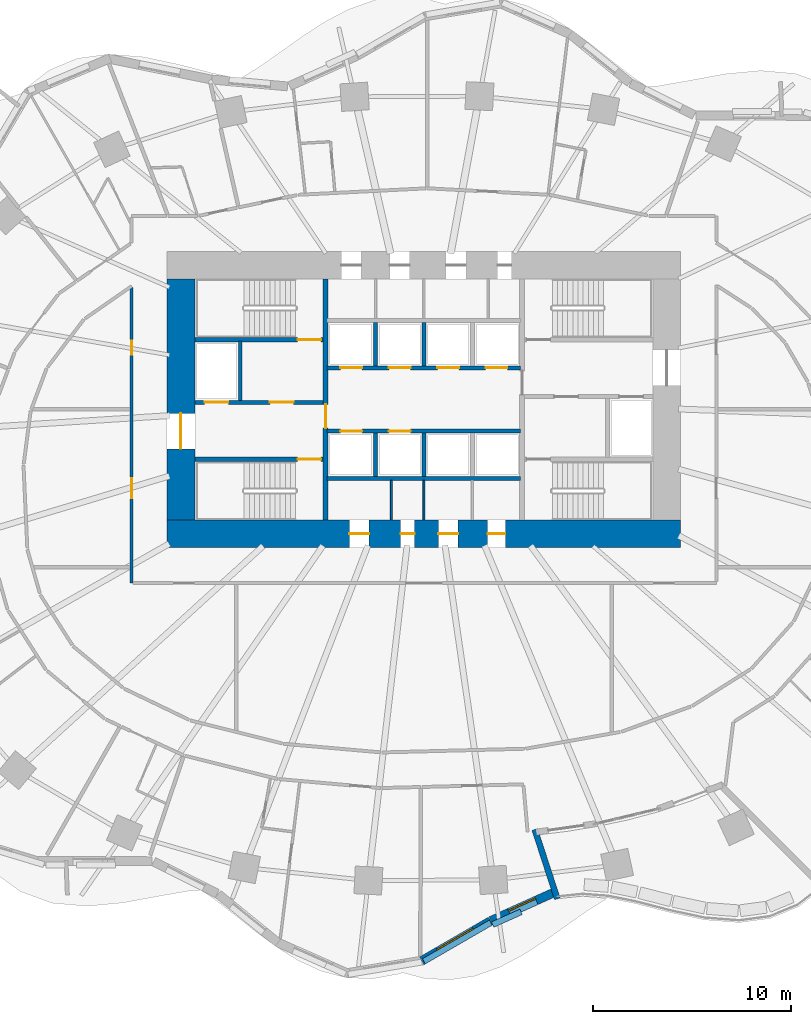
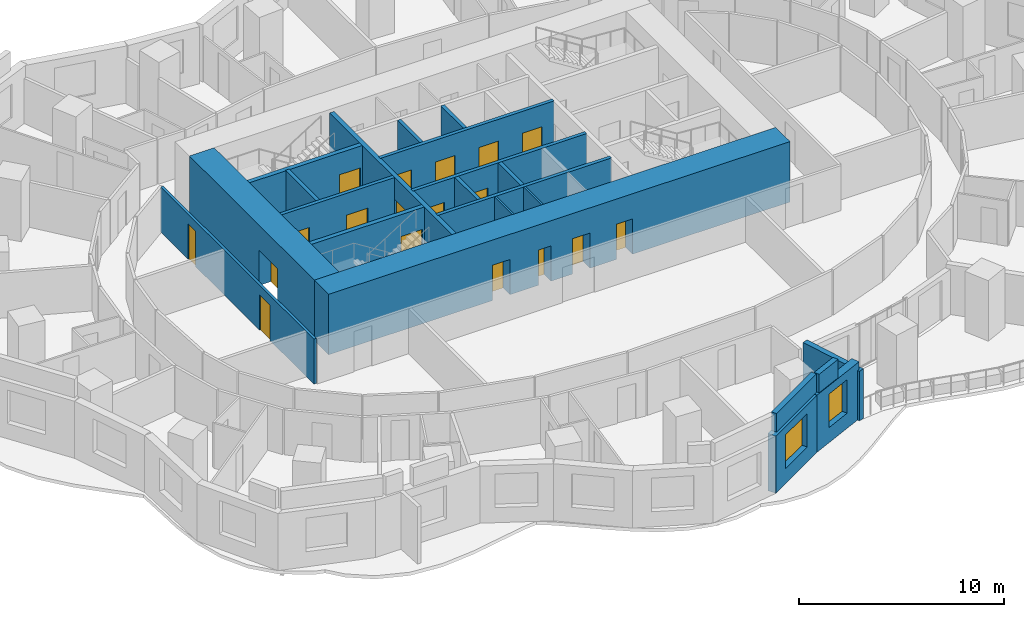
# One storey, part 6 of 14: 22 walls, 18 doors, 2 windows, 20 openings.
"""IFC4 building model written with IfcOpenShell, lengths in metres."""

from ifc_helpers import new_model, si_unit, direction, frame, frame_2d, origin, place, context, subcontext, project, spatial, rectangle, extrude, material, layer, layer_set, type_object, element, fill, save


model = new_model("IFC4")

# Units and contexts
model_context = context("Model", 3, precision=1e-05, world=origin(), true_north=direction((0.0, 1.0)))
body_context = subcontext(model_context, "Body", "Model", "MODEL_VIEW")
ifc_project = project(units=[si_unit("LENGTHUNIT", "METRE"), si_unit("AREAUNIT", "SQUARE_METRE"), si_unit("VOLUMEUNIT", "CUBIC_METRE"), si_unit("PLANEANGLEUNIT", "RADIAN"), si_unit("MASSUNIT", "GRAM", prefix="KILO")], contexts=[model_context])

# Site, building, storey
site_placement = place(None, origin())
site = spatial("IfcSite", under=ifc_project, at=site_placement, CompositionType="ELEMENT")
building_placement = place(site_placement, origin())
building = spatial("IfcBuilding", under=site, at=building_placement, Name="Rubra Terraces Tower", CompositionType="ELEMENT")
storey_placement = place(building_placement, frame((0.0, 0.0, 44.699951171875)))
storey = spatial("IfcBuildingStorey", under=building, at=storey_placement, Name="L08", CompositionType="ELEMENT", Elevation=44.699951171875)

# Wall, opening, window
ifc_material_1 = material(Name="Brick masonry red-brown", Category="masonry")
ifc_layer_1 = layer(ifc_material_1, 0.449951171875)
ifc_layer_set_1 = layer_set([ifc_layer_1], Name="Brick masonry red-brown")
wall_type_1 = type_object("IfcWallType", Name="Brick facade wall 450", PredefinedType="SOLIDWALL", material=ifc_layer_set_1)
wall_1_placement = place(storey_placement, frame((-0.109375, -23.92041015625, 0.0), z_axis=(0.0, 0.0, 1.0), x_axis=(0.865557769603, 0.500809092848, 0.0)))
wall_1 = element("IfcWall", 1, at=wall_1_placement, inside=storey, type_object=wall_type_1, Name="Facade wall L08 bay 31", PredefinedType="SOLIDWALL", context=body_context, shape_type="SweptSolid", body=[
    extrude(rectangle(XDim=4.024658203125, YDim=0.449951171875, at=frame_2d((2.01220703125, 0.0))), origin(), (0.0, 0.0, 1.0), 3.400146484375),
])
opening_1_placement = place(wall_1_placement, frame((0.96240234375, 0.0, 0.89990234375)))
opening_1 = element("IfcOpeningElement", 2, at=opening_1_placement, cuts=wall_1, Name="Opening W1", PredefinedType="OPENING", context=body_context, shape_type="SweptSolid", body=[
    extrude(rectangle(XDim=2.10009765625, YDim=2.0, at=frame_2d((1.050048828125, 1.0))), frame((0.0, 0.23486328125, 0.0), z_axis=(0.0, -1.0, 0.0), x_axis=(1.0, 0.0, 0.0)), (0.0, 0.0, 1.0), 0.469970703125),
])
ifc_material_2 = material(Name="Clear glass in aluminium frame", Category="aluminium")
window_type_1 = type_object("IfcWindowType", Name="Fixed deep-set window 2100 x 2000", PartitioningType="SINGLE_PANEL", PredefinedType="WINDOW", material=ifc_material_2)
window_1_placement = place(opening_1_placement, origin())
window_1 = element("IfcWindow", 3, at=window_1_placement, inside=storey, type_object=window_type_1, Name="Window L08 bay 31", OverallHeight=2.0, OverallWidth=2.10009765625, PartitioningType="SINGLE_PANEL", PredefinedType="WINDOW", context=body_context, shape_type="SweptSolid", body=[
    extrude(rectangle(XDim=2.10009765625, YDim=2.0, at=frame_2d((1.050048828125, 1.0))), frame((0.0, 0.135009765625, 0.0), z_axis=(0.0, -1.0, 0.0), x_axis=(1.0, 0.0, 0.0)), (0.0, 0.0, 1.0), 0.06005859375),
])
fill(opening_1, window_1)

wall_2_placement = place(storey_placement, frame((3.395263671875, -21.894287109375, 0.0), z_axis=(0.0, 0.0, 1.0), x_axis=(0.912061376588, 0.410053710306, 0.0)))
wall_2 = element("IfcWall", 4, at=wall_2_placement, inside=storey, type_object=wall_type_1, Name="Facade wall L08 bay 32", PredefinedType="SOLIDWALL", context=body_context, shape_type="SweptSolid", body=[
    extrude(rectangle(XDim=3.52587890625, YDim=0.449951171875, at=frame_2d((1.762939453125, 0.0))), origin(), (0.0, 0.0, 1.0), 3.400146484375),
])
opening_2_placement = place(wall_2_placement, frame((1.0126953125, 0.0, 0.89990234375)))
opening_2 = element("IfcOpeningElement", 5, at=opening_2_placement, cuts=wall_2, Name="Opening W7", PredefinedType="OPENING", context=body_context, shape_type="SweptSolid", body=[
    extrude(rectangle(XDim=1.5, YDim=2.0, at=frame_2d((0.75, 1.0))), frame((0.0, 0.23486328125, 0.0), z_axis=(0.0, -1.0, 0.0), x_axis=(1.0, 0.0, 0.0)), (0.0, 0.0, 1.0), 0.469970703125),
])
window_type_2 = type_object("IfcWindowType", Name="Fixed deep-set window beside terrace 1500 x 2000", PartitioningType="SINGLE_PANEL", PredefinedType="WINDOW", material=ifc_material_2)
window_2_placement = place(opening_2_placement, origin())
window_2 = element("IfcWindow", 6, at=window_2_placement, inside=storey, type_object=window_type_2, Name="Window L08 bay 32", OverallHeight=2.0, OverallWidth=1.5, PartitioningType="SINGLE_PANEL", PredefinedType="WINDOW", context=body_context, shape_type="SweptSolid", body=[
    extrude(rectangle(XDim=1.5, YDim=2.0, at=frame_2d((0.75, 1.0))), frame((0.0, 0.135009765625, 0.0), z_axis=(0.0, -1.0, 0.0), x_axis=(1.0, 0.0, 0.0)), (0.0, 0.0, 1.0), 0.06005859375),
])
fill(opening_2, window_2)

# Walls
ifc_layer_2 = layer(ifc_material_1, 0.300048828125)
ifc_layer_set_2 = layer_set([ifc_layer_2], Name="Brick masonry red-brown")
wall_type_2 = type_object("IfcWallType", Name="Brick parapet 300", PredefinedType="PARAPET", material=ifc_layer_set_2)
wall_3_placement = place(storey_placement, frame((-0.002197265625, -23.945068359375, 3.60009765625), z_axis=(0.0, 0.0, 1.0), x_axis=(0.865550152763, 0.500822256945, 0.0)))
element("IfcWall", 7, at=wall_3_placement, inside=storey, type_object=wall_type_2, Name="Parapet L08 bay 31", PredefinedType="PARAPET", context=body_context, shape_type="SweptSolid", body=[
    extrude(rectangle(XDim=3.91259765625, YDim=0.300048828125, at=frame_2d((1.956298828125, 0.0))), origin(), (0.0, 0.0, 1.0), 1.099853515625),
])
wall_4_placement = place(storey_placement, frame((3.4775390625, -22.0869140625, 3.60009765625), z_axis=(0.0, 0.0, 1.0), x_axis=(0.912008401221, 0.410171520345, 0.0)))
element("IfcWall", 8, at=wall_4_placement, inside=storey, type_object=wall_type_2, Name="Parapet L08 bay 32", PredefinedType="PARAPET", context=body_context, shape_type="SweptSolid", body=[
    extrude(rectangle(XDim=1.57666015625, YDim=0.300048828125, at=frame_2d((0.788330078125, 0.0))), origin(), (0.0, 0.0, 1.0), 1.099853515625),
])

# Wall, openings, doors
ifc_material_3 = material(Name="Concrete C70", Category="concrete")
ifc_layer_3 = layer(ifc_material_3, 1.39990234375)
ifc_layer_set_3 = layer_set([ifc_layer_3], Name="Concrete C70")
wall_type_3 = type_object("IfcWallType", Name="CORE WALL 1400 C70", PredefinedType="SHEAR", material=ifc_layer_set_3)
wall_5_placement = place(storey_placement, frame((-13.0, -2.300048828125, 0.0), z_axis=(0.0, 0.0, 1.0), x_axis=(1.0, 0.0, 0.0)))
wall_5 = element("IfcWall", 9, at=wall_5_placement, inside=storey, type_object=wall_type_3, Name="CORE WALL S L08", PredefinedType="SHEAR", context=body_context, shape_type="SweptSolid", body=[
    extrude(rectangle(XDim=26.0, YDim=1.39990234375, at=frame_2d((13.0, 0.0))), origin(), (0.0, 0.0, 1.0), 3.60009765625),
])
opening_3_placement = place(wall_5_placement, frame((9.22509765625, 0.0, 0.0)))
opening_3 = element("IfcOpeningElement", 10, at=opening_3_placement, cuts=wall_5, Name="Opening L08.C19", PredefinedType="OPENING", context=body_context, shape_type="SweptSolid", body=[
    extrude(rectangle(XDim=1.0, YDim=2.10009765625, at=frame_2d((0.5, 1.050048828125))), frame((0.0, 0.7099609375, 0.0), z_axis=(0.0, -1.0, 0.0), x_axis=(1.0, 0.0, 0.0)), (0.0, 0.0, 1.0), 1.419921875),
])
opening_4_placement = place(wall_5_placement, frame((11.824951171875, 0.0, 0.0)))
opening_4 = element("IfcOpeningElement", 11, at=opening_4_placement, cuts=wall_5, Name="Opening L08.C20", PredefinedType="OPENING", context=body_context, shape_type="SweptSolid", body=[
    extrude(rectangle(XDim=0.699951171875, YDim=2.10009765625, at=frame_2d((0.35009765625, 1.050048828125))), frame((0.0, 0.7099609375, 0.0), z_axis=(0.0, -1.0, 0.0), x_axis=(1.0, 0.0, 0.0)), (0.0, 0.0, 1.0), 1.419921875),
])
opening_5_placement = place(wall_5_placement, frame((13.72509765625, 0.0, 0.0)))
opening_5 = element("IfcOpeningElement", 12, at=opening_5_placement, cuts=wall_5, Name="Opening L08.C21", PredefinedType="OPENING", context=body_context, shape_type="SweptSolid", body=[
    extrude(rectangle(XDim=1.0, YDim=2.10009765625, at=frame_2d((0.5, 1.050048828125))), frame((0.0, 0.7099609375, 0.0), z_axis=(0.0, -1.0, 0.0), x_axis=(1.0, 0.0, 0.0)), (0.0, 0.0, 1.0), 1.419921875),
])
opening_6_placement = place(wall_5_placement, frame((16.22509765625, 0.0, 0.0)))
opening_6 = element("IfcOpeningElement", 13, at=opening_6_placement, cuts=wall_5, Name="Opening L08.C22", PredefinedType="OPENING", context=body_context, shape_type="SweptSolid", body=[
    extrude(rectangle(XDim=0.89990234375, YDim=2.10009765625, at=frame_2d((0.449951171875, 1.050048828125))), frame((0.0, 0.7099609375, 0.0), z_axis=(0.0, -1.0, 0.0), x_axis=(1.0, 0.0, 0.0)), (0.0, 0.0, 1.0), 1.419921875),
])
ifc_material_4 = material(Name="Painted steel", Category="steel")
door_type_1 = type_object("IfcDoorType", Name="Fire door 1000x2100 single", OperationType="NOTDEFINED", PredefinedType="DOOR", material=ifc_material_4)
door_1_placement = place(opening_3_placement, origin())
door_1 = element("IfcDoor", 14, at=door_1_placement, inside=storey, type_object=door_type_1, Name="Linen store door", OperationType="SINGLE_SWING_LEFT", OverallHeight=2.10009765625, OverallWidth=1.0, PredefinedType="DOOR", context=body_context, shape_type="SweptSolid", body=[
    extrude(rectangle(XDim=1.0, YDim=2.10009765625, at=frame_2d((0.5, 1.050048828125))), frame((0.0, 0.02490234375, 0.0), z_axis=(0.0, -1.0, 0.0), x_axis=(1.0, 0.0, 0.0)), (0.0, 0.0, 1.0), 0.050048828125),
])
fill(opening_3, door_1)
door_2_placement = place(opening_5_placement, origin())
door_2 = element("IfcDoor", 15, at=door_2_placement, inside=storey, type_object=door_type_1, Name="Ice and vending room door", OperationType="SINGLE_SWING_LEFT", OverallHeight=2.10009765625, OverallWidth=1.0, PredefinedType="DOOR", context=body_context, shape_type="SweptSolid", body=[
    extrude(rectangle(XDim=1.0, YDim=2.10009765625, at=frame_2d((0.5, 1.050048828125))), frame((0.0, 0.02490234375, 0.0), z_axis=(0.0, -1.0, 0.0), x_axis=(1.0, 0.0, 0.0)), (0.0, 0.0, 1.0), 0.050048828125),
])
fill(opening_5, door_2)
door_type_2 = type_object("IfcDoorType", Name="Fire door 900x2100 single", OperationType="NOTDEFINED", PredefinedType="DOOR", material=ifc_material_4)
door_3_placement = place(opening_6_placement, origin())
door_3 = element("IfcDoor", 16, at=door_3_placement, inside=storey, type_object=door_type_2, Name="Cleaner's store door", OperationType="SINGLE_SWING_RIGHT", OverallHeight=2.10009765625, OverallWidth=0.89990234375, PredefinedType="DOOR", context=body_context, shape_type="SweptSolid", body=[
    extrude(rectangle(XDim=0.89990234375, YDim=2.10009765625, at=frame_2d((0.449951171875, 1.050048828125))), frame((0.0, 0.02490234375, 0.0), z_axis=(0.0, -1.0, 0.0), x_axis=(1.0, 0.0, 0.0)), (0.0, 0.0, 1.0), 0.050048828125),
])
fill(opening_6, door_3)
door_type_3 = type_object("IfcDoorType", Name="Riser access door 700x2100 single", OperationType="NOTDEFINED", PredefinedType="DOOR", material=ifc_material_4)
door_4_placement = place(opening_4_placement, origin())
door_4 = element("IfcDoor", 17, at=door_4_placement, inside=storey, type_object=door_type_3, Name="Telecoms room door", OperationType="SINGLE_SWING_RIGHT", OverallHeight=2.10009765625, OverallWidth=0.699951171875, PredefinedType="DOOR", context=body_context, shape_type="SweptSolid", body=[
    extrude(rectangle(XDim=0.699951171875, YDim=2.10009765625, at=frame_2d((0.35009765625, 1.050048828125))), frame((0.0, 0.02490234375, 0.0), z_axis=(0.0, -1.0, 0.0), x_axis=(1.0, 0.0, 0.0)), (0.0, 0.0, 1.0), 0.050048828125),
])
fill(opening_4, door_4)

# Wall, opening, door
wall_6_placement = place(storey_placement, frame((-12.300048828125, -1.60009765625, 0.0), z_axis=(0.0, 0.0, 1.0), x_axis=(0.0, 1.0, 0.0)))
wall_6 = element("IfcWall", 18, at=wall_6_placement, inside=storey, type_object=wall_type_3, Name="CORE WALL W L08", PredefinedType="SHEAR", context=body_context, shape_type="SweptSolid", body=[
    extrude(rectangle(XDim=12.2001953125, YDim=1.39990234375, at=frame_2d((6.10009765625, 0.0))), origin(), (0.0, 0.0, 1.0), 3.60009765625),
])
opening_7_placement = place(wall_6_placement, frame((3.60009765625, 0.0, 0.0)))
opening_7 = element("IfcOpeningElement", 19, at=opening_7_placement, cuts=wall_6, Name="Opening L08.C01", PredefinedType="OPENING", context=body_context, shape_type="SweptSolid", body=[
    extrude(rectangle(XDim=1.800048828125, YDim=2.10009765625, at=frame_2d((0.89990234375, 1.050048828125))), frame((0.0, 0.7099609375, 0.0), z_axis=(0.0, -1.0, 0.0), x_axis=(1.0, 0.0, 0.0)), (0.0, 0.0, 1.0), 1.419921875),
])
door_type_4 = type_object("IfcDoorType", Name="Fire door 1800x2100 double", OperationType="NOTDEFINED", PredefinedType="DOOR", material=ifc_material_4)
door_5_placement = place(opening_7_placement, origin())
door_5 = element("IfcDoor", 20, at=door_5_placement, inside=storey, type_object=door_type_4, Name="Core entrance door FF1", OperationType="DOUBLE_DOOR_SINGLE_SWING", OverallHeight=2.10009765625, OverallWidth=1.800048828125, PredefinedType="DOOR", context=body_context, shape_type="SweptSolid", body=[
    extrude(rectangle(XDim=1.800048828125, YDim=2.10009765625, at=frame_2d((0.89990234375, 1.050048828125))), frame((0.0, 0.02490234375, 0.0), z_axis=(0.0, -1.0, 0.0), x_axis=(1.0, 0.0, 0.0)), (0.0, 0.0, 1.0), 0.050048828125),
])
fill(opening_7, door_5)

# Wall, openings, doors
ifc_material_5 = material(Name="Plasterboard on steel stud, mineral wool infill", Category="steel")
ifc_layer_4 = layer(ifc_material_5, 0.14990234375)
ifc_layer_set_4 = layer_set([ifc_layer_4], Name="Plasterboard on steel stud, mineral wool infill")
wall_type_4 = type_object("IfcWallType", Name="CORRIDOR PARTITION 150", PredefinedType="PARTITIONING", material=ifc_layer_set_4)
wall_7_placement = place(storey_placement, frame((-14.800048828125, 10.159912109375, 0.0), z_axis=(0.0, 0.0, 1.0), x_axis=(0.0, -1.0, 0.0)))
wall_7 = element("IfcWall", 21, at=wall_7_placement, inside=storey, type_object=wall_type_4, Name="PARTITION", PredefinedType="PARTITIONING", context=body_context, shape_type="SweptSolid", body=[
    extrude(rectangle(XDim=14.9599609375, YDim=0.14990234375, at=frame_2d((7.47998046875, 0.0))), origin(), (0.0, 0.0, 1.0), 2.679931640625),
])
opening_8_placement = place(wall_7_placement, frame((2.69189453125, 0.0, 0.0)))
opening_8 = element("IfcOpeningElement", 22, at=opening_8_placement, cuts=wall_7, Name="Opening 08-134", PredefinedType="OPENING", context=body_context, shape_type="SweptSolid", body=[
    extrude(rectangle(XDim=0.699951171875, YDim=2.10009765625, at=frame_2d((0.35009765625, 1.050048828125))), frame((0.0, 0.0849609375, 0.0), z_axis=(0.0, -1.0, 0.0), x_axis=(1.0, 0.0, 0.0)), (0.0, 0.0, 1.0), 0.169921875),
])
opening_9_placement = place(wall_7_placement, frame((9.659912109375, 0.0, 0.0)))
opening_9 = element("IfcOpeningElement", 23, at=opening_9_placement, cuts=wall_7, Name="Opening 08-135", PredefinedType="OPENING", context=body_context, shape_type="SweptSolid", body=[
    extrude(rectangle(XDim=1.0, YDim=2.10009765625, at=frame_2d((0.5, 1.050048828125))), frame((0.0, 0.0849609375, 0.0), z_axis=(0.0, -1.0, 0.0), x_axis=(1.0, 0.0, 0.0)), (0.0, 0.0, 1.0), 0.169921875),
])
ifc_material_6 = material(Name="Painted timber door leaf", Category="wood")
door_type_5 = type_object("IfcDoorType", Name="ROOM DOOR 1000 X 2100", OperationType="SINGLE_SWING_LEFT", PredefinedType="DOOR", material=ifc_material_6)
door_6_placement = place(opening_9_placement, origin())
door_6 = element("IfcDoor", 24, at=door_6_placement, inside=storey, type_object=door_type_5, Name="DOOR 08-135", OperationType="SINGLE_SWING_RIGHT", OverallHeight=2.10009765625, OverallWidth=1.0, PredefinedType="DOOR", context=body_context, shape_type="SweptSolid", body=[
    extrude(rectangle(XDim=1.0, YDim=2.10009765625, at=frame_2d((0.5, 1.050048828125))), frame((0.0, 0.02490234375, 0.0), z_axis=(0.0, -1.0, 0.0), x_axis=(1.0, 0.0, 0.0)), (0.0, 0.0, 1.0), 0.050048828125),
])
fill(opening_9, door_6)
door_type_6 = type_object("IfcDoorType", Name="STORE DOOR 700 X 2100", OperationType="SINGLE_SWING_LEFT", PredefinedType="DOOR", material=ifc_material_6)
door_7_placement = place(opening_8_placement, origin())
door_7 = element("IfcDoor", 25, at=door_7_placement, inside=storey, type_object=door_type_6, Name="DOOR 08-134", OperationType="SINGLE_SWING_RIGHT", OverallHeight=2.10009765625, OverallWidth=0.699951171875, PredefinedType="DOOR", context=body_context, shape_type="SweptSolid", body=[
    extrude(rectangle(XDim=0.699951171875, YDim=2.10009765625, at=frame_2d((0.35009765625, 1.050048828125))), frame((0.0, 0.02490234375, 0.0), z_axis=(0.0, -1.0, 0.0), x_axis=(1.0, 0.0, 0.0)), (0.0, 0.0, 1.0), 0.050048828125),
])
fill(opening_8, door_7)

ifc_material_7 = material(Name="Concrete C30", Category="concrete")
ifc_layer_5 = layer(ifc_material_7, 0.199951171875)
ifc_layer_set_5 = layer_set([ifc_layer_5], Name="Concrete C30")
wall_type_5 = type_object("IfcWallType", Name="Core wall 200 concrete", PredefinedType="SOLIDWALL", material=ifc_layer_set_5)
wall_8_placement = place(storey_placement, frame((-11.60009765625, 4.35009765625, 0.0), z_axis=(0.0, 0.0, 1.0), x_axis=(1.0, 0.0, 0.0)))
wall_8 = element("IfcWall", 26, at=wall_8_placement, inside=storey, type_object=wall_type_5, Name="STAIR WALL L08", PredefinedType="SOLIDWALL", context=body_context, shape_type="SweptSolid", body=[
    extrude(rectangle(XDim=6.5, YDim=0.199951171875, at=frame_2d((3.25, 0.0))), origin(), (0.0, 0.0, 1.0), 3.400146484375),
])
opening_10_placement = place(wall_8_placement, frame((3.800048828125, 0.0, 0.0)))
opening_10 = element("IfcOpeningElement", 27, at=opening_10_placement, cuts=wall_8, Name="Opening L08.C05", PredefinedType="OPENING", context=body_context, shape_type="SweptSolid", body=[
    extrude(rectangle(XDim=1.199951171875, YDim=2.10009765625, at=frame_2d((0.60009765625, 1.050048828125))), frame((0.0, 0.10986328125, 0.0), z_axis=(0.0, -1.0, 0.0), x_axis=(1.0, 0.0, 0.0)), (0.0, 0.0, 1.0), 0.219970703125),
])
opening_11_placement = place(wall_8_placement, frame((0.5, 0.0, 0.0)))
opening_11 = element("IfcOpeningElement", 28, at=opening_11_placement, cuts=wall_8, Name="Opening L08.C11", PredefinedType="OPENING", context=body_context, shape_type="SweptSolid", body=[
    extrude(rectangle(XDim=1.199951171875, YDim=2.10009765625, at=frame_2d((0.60009765625, 1.050048828125))), frame((0.0, 0.10986328125, 0.0), z_axis=(0.0, -1.0, 0.0), x_axis=(1.0, 0.0, 0.0)), (0.0, 0.0, 1.0), 0.219970703125),
])
door_type_7 = type_object("IfcDoorType", Name="Fire door 1200x2100 single", OperationType="NOTDEFINED", PredefinedType="DOOR", material=ifc_material_4)
door_8_placement = place(opening_10_placement, origin())
door_8 = element("IfcDoor", 29, at=door_8_placement, inside=storey, type_object=door_type_7, Name="Stair vestibule door S2", OperationType="SINGLE_SWING_LEFT", OverallHeight=2.10009765625, OverallWidth=1.199951171875, PredefinedType="DOOR", context=body_context, shape_type="SweptSolid", body=[
    extrude(rectangle(XDim=1.199951171875, YDim=2.10009765625, at=frame_2d((0.60009765625, 1.050048828125))), frame((0.0, 0.02490234375, 0.0), z_axis=(0.0, -1.0, 0.0), x_axis=(1.0, 0.0, 0.0)), (0.0, 0.0, 1.0), 0.050048828125),
])
fill(opening_10, door_8)
ifc_material_8 = material(Name="Stainless steel", Category="steel")
door_type_8 = type_object("IfcDoorType", Name="Lift landing door 1200x2100", OperationType="NOTDEFINED", PredefinedType="DOOR", material=ifc_material_8)
door_9_placement = place(opening_11_placement, origin())
door_9 = element("IfcDoor", 30, at=door_9_placement, inside=storey, type_object=door_type_8, Name="Landing door FF1", OperationType="SLIDING_TO_RIGHT", OverallHeight=2.10009765625, OverallWidth=1.199951171875, PredefinedType="DOOR", context=body_context, shape_type="SweptSolid", body=[
    extrude(rectangle(XDim=1.199951171875, YDim=2.10009765625, at=frame_2d((0.60009765625, 1.050048828125))), frame((0.0, 0.02490234375, 0.0), z_axis=(0.0, -1.0, 0.0), x_axis=(1.0, 0.0, 0.0)), (0.0, 0.0, 1.0), 0.050048828125),
])
fill(opening_11, door_9)

# Walls
wall_9_placement = place(storey_placement, frame((-9.300048828125, 4.449951171875, 0.0), z_axis=(0.0, 0.0, 1.0), x_axis=(0.0, 1.0, 0.0)))
element("IfcWall", 31, at=wall_9_placement, inside=storey, type_object=wall_type_5, Name="STAIR WALL L08", PredefinedType="SOLIDWALL", context=body_context, shape_type="SweptSolid", body=[
    extrude(rectangle(XDim=3.0, YDim=0.199951171875, at=frame_2d((1.5, 0.0))), origin(), (0.0, 0.0, 1.0), 3.400146484375),
])
wall_10_placement = place(storey_placement, frame((-4.89990234375, 0.5, 0.0), z_axis=(0.0, 0.0, 1.0), x_axis=(1.0, 0.0, 0.0)))
element("IfcWall", 32, at=wall_10_placement, inside=storey, type_object=wall_type_5, Name="LIFT SHAFT WALL L08", PredefinedType="SOLIDWALL", context=body_context, shape_type="SweptSolid", body=[
    extrude(rectangle(XDim=9.7998046875, YDim=0.199951171875, at=frame_2d((4.89990234375, 0.0))), origin(), (0.0, 0.0, 1.0), 3.400146484375),
])

# Wall, openings, doors
wall_11_placement = place(storey_placement, frame((-4.89990234375, 2.89990234375, 0.0), z_axis=(0.0, 0.0, 1.0), x_axis=(1.0, 0.0, 0.0)))
wall_11 = element("IfcWall", 33, at=wall_11_placement, inside=storey, type_object=wall_type_5, Name="LIFT SHAFT WALL L08", PredefinedType="SOLIDWALL", context=body_context, shape_type="SweptSolid", body=[
    extrude(rectangle(XDim=9.7998046875, YDim=0.199951171875, at=frame_2d((4.89990234375, 0.0))), origin(), (0.0, 0.0, 1.0), 3.400146484375),
])
opening_12_placement = place(wall_11_placement, frame((0.675048828125, 0.0, 0.0)))
opening_12 = element("IfcOpeningElement", 34, at=opening_12_placement, cuts=wall_11, Name="Opening L08.C13", PredefinedType="OPENING", context=body_context, shape_type="SweptSolid", body=[
    extrude(rectangle(XDim=1.10009765625, YDim=2.10009765625, at=frame_2d((0.550048828125, 1.050048828125))), frame((0.0, 0.10986328125, 0.0), z_axis=(0.0, -1.0, 0.0), x_axis=(1.0, 0.0, 0.0)), (0.0, 0.0, 1.0), 0.219970703125),
])
opening_13_placement = place(wall_11_placement, frame((3.125, 0.0, 0.0)))
opening_13 = element("IfcOpeningElement", 35, at=opening_13_placement, cuts=wall_11, Name="Opening L08.C14", PredefinedType="OPENING", context=body_context, shape_type="SweptSolid", body=[
    extrude(rectangle(XDim=1.10009765625, YDim=2.10009765625, at=frame_2d((0.550048828125, 1.050048828125))), frame((0.0, 0.10986328125, 0.0), z_axis=(0.0, -1.0, 0.0), x_axis=(1.0, 0.0, 0.0)), (0.0, 0.0, 1.0), 0.219970703125),
])
door_type_9 = type_object("IfcDoorType", Name="Lift landing door 1100x2100", OperationType="NOTDEFINED", PredefinedType="DOOR", material=ifc_material_8)
door_10_placement = place(opening_12_placement, origin())
door_10 = element("IfcDoor", 36, at=door_10_placement, inside=storey, type_object=door_type_9, Name="Landing door LB1", OperationType="SLIDING_TO_RIGHT", OverallHeight=2.10009765625, OverallWidth=1.10009765625, PredefinedType="DOOR", context=body_context, shape_type="SweptSolid", body=[
    extrude(rectangle(XDim=1.10009765625, YDim=2.10009765625, at=frame_2d((0.550048828125, 1.050048828125))), frame((0.0, 0.02490234375, 0.0), z_axis=(0.0, -1.0, 0.0), x_axis=(1.0, 0.0, 0.0)), (0.0, 0.0, 1.0), 0.050048828125),
])
fill(opening_12, door_10)
door_11_placement = place(opening_13_placement, origin())
door_11 = element("IfcDoor", 37, at=door_11_placement, inside=storey, type_object=door_type_9, Name="Landing door LB2", OperationType="SLIDING_TO_LEFT", OverallHeight=2.10009765625, OverallWidth=1.10009765625, PredefinedType="DOOR", context=body_context, shape_type="SweptSolid", body=[
    extrude(rectangle(XDim=1.10009765625, YDim=2.10009765625, at=frame_2d((0.550048828125, 1.050048828125))), frame((0.0, 0.02490234375, 0.0), z_axis=(0.0, -1.0, 0.0), x_axis=(1.0, 0.0, 0.0)), (0.0, 0.0, 1.0), 0.050048828125),
])
fill(opening_13, door_11)

wall_12_placement = place(storey_placement, frame((-4.89990234375, 6.10009765625, 0.0), z_axis=(0.0, 0.0, 1.0), x_axis=(1.0, 0.0, 0.0)))
wall_12 = element("IfcWall", 38, at=wall_12_placement, inside=storey, type_object=wall_type_5, Name="LIFT SHAFT WALL L08", PredefinedType="SOLIDWALL", context=body_context, shape_type="SweptSolid", body=[
    extrude(rectangle(XDim=9.7998046875, YDim=0.199951171875, at=frame_2d((4.89990234375, 0.0))), origin(), (0.0, 0.0, 1.0), 3.400146484375),
])
opening_14_placement = place(wall_12_placement, frame((0.675048828125, 0.0, 0.0)))
opening_14 = element("IfcOpeningElement", 39, at=opening_14_placement, cuts=wall_12, Name="Opening L08.C15", PredefinedType="OPENING", context=body_context, shape_type="SweptSolid", body=[
    extrude(rectangle(XDim=1.10009765625, YDim=2.10009765625, at=frame_2d((0.550048828125, 1.050048828125))), frame((0.0, 0.10986328125, 0.0), z_axis=(0.0, -1.0, 0.0), x_axis=(1.0, 0.0, 0.0)), (0.0, 0.0, 1.0), 0.219970703125),
])
opening_15_placement = place(wall_12_placement, frame((3.125, 0.0, 0.0)))
opening_15 = element("IfcOpeningElement", 40, at=opening_15_placement, cuts=wall_12, Name="Opening L08.C16", PredefinedType="OPENING", context=body_context, shape_type="SweptSolid", body=[
    extrude(rectangle(XDim=1.10009765625, YDim=2.10009765625, at=frame_2d((0.550048828125, 1.050048828125))), frame((0.0, 0.10986328125, 0.0), z_axis=(0.0, -1.0, 0.0), x_axis=(1.0, 0.0, 0.0)), (0.0, 0.0, 1.0), 0.219970703125),
])
opening_16_placement = place(wall_12_placement, frame((5.574951171875, 0.0, 0.0)))
opening_16 = element("IfcOpeningElement", 41, at=opening_16_placement, cuts=wall_12, Name="Opening L08.C17", PredefinedType="OPENING", context=body_context, shape_type="SweptSolid", body=[
    extrude(rectangle(XDim=1.10009765625, YDim=2.10009765625, at=frame_2d((0.550048828125, 1.050048828125))), frame((0.0, 0.10986328125, 0.0), z_axis=(0.0, -1.0, 0.0), x_axis=(1.0, 0.0, 0.0)), (0.0, 0.0, 1.0), 0.219970703125),
])
opening_17_placement = place(wall_12_placement, frame((8.02490234375, 0.0, 0.0)))
opening_17 = element("IfcOpeningElement", 42, at=opening_17_placement, cuts=wall_12, Name="Opening L08.C18", PredefinedType="OPENING", context=body_context, shape_type="SweptSolid", body=[
    extrude(rectangle(XDim=1.10009765625, YDim=2.10009765625, at=frame_2d((0.550048828125, 1.050048828125))), frame((0.0, 0.10986328125, 0.0), z_axis=(0.0, -1.0, 0.0), x_axis=(1.0, 0.0, 0.0)), (0.0, 0.0, 1.0), 0.219970703125),
])
door_12_placement = place(opening_14_placement, origin())
door_12 = element("IfcDoor", 43, at=door_12_placement, inside=storey, type_object=door_type_9, Name="Landing door LB3", OperationType="SLIDING_TO_RIGHT", OverallHeight=2.10009765625, OverallWidth=1.10009765625, PredefinedType="DOOR", context=body_context, shape_type="SweptSolid", body=[
    extrude(rectangle(XDim=1.10009765625, YDim=2.10009765625, at=frame_2d((0.550048828125, 1.050048828125))), frame((0.0, 0.02490234375, 0.0), z_axis=(0.0, -1.0, 0.0), x_axis=(1.0, 0.0, 0.0)), (0.0, 0.0, 1.0), 0.050048828125),
])
fill(opening_14, door_12)
door_13_placement = place(opening_15_placement, origin())
door_13 = element("IfcDoor", 44, at=door_13_placement, inside=storey, type_object=door_type_9, Name="Landing door LB4", OperationType="SLIDING_TO_LEFT", OverallHeight=2.10009765625, OverallWidth=1.10009765625, PredefinedType="DOOR", context=body_context, shape_type="SweptSolid", body=[
    extrude(rectangle(XDim=1.10009765625, YDim=2.10009765625, at=frame_2d((0.550048828125, 1.050048828125))), frame((0.0, 0.02490234375, 0.0), z_axis=(0.0, -1.0, 0.0), x_axis=(1.0, 0.0, 0.0)), (0.0, 0.0, 1.0), 0.050048828125),
])
fill(opening_15, door_13)
door_14_placement = place(opening_16_placement, origin())
door_14 = element("IfcDoor", 45, at=door_14_placement, inside=storey, type_object=door_type_9, Name="Landing door LB5", OperationType="SLIDING_TO_RIGHT", OverallHeight=2.10009765625, OverallWidth=1.10009765625, PredefinedType="DOOR", context=body_context, shape_type="SweptSolid", body=[
    extrude(rectangle(XDim=1.10009765625, YDim=2.10009765625, at=frame_2d((0.550048828125, 1.050048828125))), frame((0.0, 0.02490234375, 0.0), z_axis=(0.0, -1.0, 0.0), x_axis=(1.0, 0.0, 0.0)), (0.0, 0.0, 1.0), 0.050048828125),
])
fill(opening_16, door_14)
door_15_placement = place(opening_17_placement, origin())
door_15 = element("IfcDoor", 46, at=door_15_placement, inside=storey, type_object=door_type_9, Name="Landing door LB6", OperationType="SLIDING_TO_LEFT", OverallHeight=2.10009765625, OverallWidth=1.10009765625, PredefinedType="DOOR", context=body_context, shape_type="SweptSolid", body=[
    extrude(rectangle(XDim=1.10009765625, YDim=2.10009765625, at=frame_2d((0.550048828125, 1.050048828125))), frame((0.0, 0.02490234375, 0.0), z_axis=(0.0, -1.0, 0.0), x_axis=(1.0, 0.0, 0.0)), (0.0, 0.0, 1.0), 0.050048828125),
])
fill(opening_17, door_15)

# Walls
for number, where, z_axis, x_axis, name in (
    (47, (-2.449951171875, 0.60009765625, 0.0), (0.0, 0.0, 1.0), (0.0, 1.0, 0.0), "LIFT SHAFT WALL L08"),
    (48, (0.0, 0.60009765625, 0.0), (0.0, 0.0, 1.0), (0.0, 1.0, 0.0), "LIFT SHAFT WALL L08"),
    (49, (-2.449951171875, 6.199951171875, 0.0), (0.0, 0.0, 1.0), (0.0, 1.0, 0.0), "LIFT SHAFT WALL L08"),
    (50, (0.0, 6.199951171875, 0.0), (0.0, 0.0, 1.0), (0.0, 1.0, 0.0), "LIFT SHAFT WALL L08"),
):
    element("IfcWall", number, at=place(storey_placement, frame(where, z_axis=z_axis, x_axis=x_axis)), inside=storey, type_object=wall_type_5, Name=name, PredefinedType="SOLIDWALL", context=body_context, shape_type="SweptSolid", body=[
        extrude(rectangle(XDim=2.199951171875, YDim=0.199951171875, at=frame_2d((1.10009765625, 0.0))), origin(), (0.0, 0.0, 1.0), 3.400146484375),
    ])
ifc_material_9 = material(Name="Brick masonry with rose lime render", Category="masonry")
ifc_layer_6 = layer(ifc_material_9, 0.300048828125)
ifc_layer_set_6 = layer_set([ifc_layer_6], Name="Brick masonry with rose lime render")
wall_type_6 = type_object("IfcWallType", Name="Rose rendered brick wall 300", PredefinedType="SOLIDWALL", material=ifc_layer_set_6)
wall_13_placement = place(storey_placement, frame((6.751953125, -20.779052734375, 0.0), z_axis=(0.0, 0.0, 1.0), x_axis=(-0.309237068707, 0.950984981657, 0.0)))
element("IfcWall", 51, at=wall_13_placement, inside=storey, type_object=wall_type_6, Name="Terrace side wall L08.1", PredefinedType="SOLIDWALL", context=body_context, shape_type="SweptSolid", body=[
    extrude(rectangle(XDim=3.6923828125, YDim=0.300048828125, at=frame_2d((1.84619140625, 0.0))), origin(), (0.0, 0.0, 1.0), 2.9541015625),
])
ifc_material_10 = material(Name="Blockwork", Category="masonry")
ifc_layer_7 = layer(ifc_material_10, 0.10009765625)
ifc_layer_set_7 = layer_set([ifc_layer_7], Name="Blockwork")
wall_type_7 = type_object("IfcWallType", Name="Service partition 100 blockwork", PredefinedType="PARTITIONING", material=ifc_layer_set_7)
for number, where, z_axis, x_axis, name in (
    (52, (-1.64990234375, -1.60009765625, 0.0), (0.0, 0.0, 1.0), (0.0, 1.0, 0.0), "SERVICE ROOM PARTITION L08"),
    (53, (0.0, -1.60009765625, 0.0), (0.0, 0.0, 1.0), (0.0, 1.0, 0.0), "SERVICE ROOM PARTITION L08"),
):
    element("IfcWall", number, at=place(storey_placement, frame(where, z_axis=z_axis, x_axis=x_axis)), inside=storey, type_object=wall_type_7, Name=name, PredefinedType="PARTITIONING", context=body_context, shape_type="SweptSolid", body=[
        extrude(rectangle(XDim=2.0, YDim=0.10009765625, at=frame_2d((1.0, 0.0))), origin(), (0.0, 0.0, 1.0), 3.400146484375),
    ])

# Wall, opening, door
ifc_material_11 = material(Name="Concrete C40", Category="concrete")
ifc_layer_8 = layer(ifc_material_11, 0.25)
ifc_layer_set_8 = layer_set([ifc_layer_8], Name="Concrete C40")
wall_type_8 = type_object("IfcWallType", Name="Stair enclosure wall 250 concrete", PredefinedType="SOLIDWALL", material=ifc_layer_set_8)
wall_14_placement = place(storey_placement, frame((-11.60009765625, 1.47509765625, 0.0), z_axis=(0.0, 0.0, 1.0), x_axis=(1.0, 0.0, 0.0)))
wall_14 = element("IfcWall", 54, at=wall_14_placement, inside=storey, type_object=wall_type_8, Name="STAIR WALL L08", PredefinedType="SOLIDWALL", context=body_context, shape_type="SweptSolid", body=[
    extrude(rectangle(XDim=6.5, YDim=0.25, at=frame_2d((3.25, 0.0))), origin(), (0.0, 0.0, 1.0), 3.400146484375),
])
opening_18_placement = place(wall_14_placement, frame((5.199951171875, 0.0, 0.0)))
opening_18 = element("IfcOpeningElement", 55, at=opening_18_placement, cuts=wall_14, Name="Opening L08.C07", PredefinedType="OPENING", context=body_context, shape_type="SweptSolid", body=[
    extrude(rectangle(XDim=1.199951171875, YDim=2.10009765625, at=frame_2d((0.60009765625, 1.050048828125))), frame((0.0, 0.135009765625, 0.0), z_axis=(0.0, -1.0, 0.0), x_axis=(1.0, 0.0, 0.0)), (0.0, 0.0, 1.0), 0.27001953125),
])
door_16_placement = place(opening_18_placement, origin())
door_16 = element("IfcDoor", 56, at=door_16_placement, inside=storey, type_object=door_type_7, Name="Stair door S1", OperationType="SINGLE_SWING_LEFT", OverallHeight=2.10009765625, OverallWidth=1.199951171875, PredefinedType="DOOR", context=body_context, shape_type="SweptSolid", body=[
    extrude(rectangle(XDim=1.199951171875, YDim=2.10009765625, at=frame_2d((0.60009765625, 1.050048828125))), frame((0.0, 0.02490234375, 0.0), z_axis=(0.0, -1.0, 0.0), x_axis=(1.0, 0.0, 0.0)), (0.0, 0.0, 1.0), 0.050048828125),
])
fill(opening_18, door_16)

wall_15_placement = place(storey_placement, frame((-11.60009765625, 7.52490234375, 0.0), z_axis=(0.0, 0.0, 1.0), x_axis=(1.0, 0.0, 0.0)))
wall_15 = element("IfcWall", 57, at=wall_15_placement, inside=storey, type_object=wall_type_8, Name="STAIR WALL L08", PredefinedType="SOLIDWALL", context=body_context, shape_type="SweptSolid", body=[
    extrude(rectangle(XDim=6.5, YDim=0.25, at=frame_2d((3.25, 0.0))), origin(), (0.0, 0.0, 1.0), 3.400146484375),
])
opening_19_placement = place(wall_15_placement, frame((5.199951171875, 0.0, 0.0)))
opening_19 = element("IfcOpeningElement", 58, at=opening_19_placement, cuts=wall_15, Name="Opening L08.C09", PredefinedType="OPENING", context=body_context, shape_type="SweptSolid", body=[
    extrude(rectangle(XDim=1.199951171875, YDim=2.10009765625, at=frame_2d((0.60009765625, 1.050048828125))), frame((0.0, 0.135009765625, 0.0), z_axis=(0.0, -1.0, 0.0), x_axis=(1.0, 0.0, 0.0)), (0.0, 0.0, 1.0), 0.27001953125),
])
door_17_placement = place(opening_19_placement, origin())
door_17 = element("IfcDoor", 59, at=door_17_placement, inside=storey, type_object=door_type_7, Name="Stair door S2", OperationType="SINGLE_SWING_LEFT", OverallHeight=2.10009765625, OverallWidth=1.199951171875, PredefinedType="DOOR", context=body_context, shape_type="SweptSolid", body=[
    extrude(rectangle(XDim=1.199951171875, YDim=2.10009765625, at=frame_2d((0.60009765625, 1.050048828125))), frame((0.0, 0.02490234375, 0.0), z_axis=(0.0, -1.0, 0.0), x_axis=(1.0, 0.0, 0.0)), (0.0, 0.0, 1.0), 0.050048828125),
])
fill(opening_19, door_17)

wall_16_placement = place(storey_placement, frame((-4.97509765625, -1.60009765625, 0.0), z_axis=(0.0, 0.0, 1.0), x_axis=(0.0, 1.0, 0.0)))
wall_16 = element("IfcWall", 60, at=wall_16_placement, inside=storey, type_object=wall_type_8, Name="CORE LOBBY WALL L08", PredefinedType="SOLIDWALL", context=body_context, shape_type="SweptSolid", body=[
    extrude(rectangle(XDim=12.2001953125, YDim=0.25, at=frame_2d((6.10009765625, 0.0))), origin(), (0.0, 0.0, 1.0), 3.400146484375),
])
opening_20_placement = place(wall_16_placement, frame((4.64990234375, 0.0, 0.0)))
opening_20 = element("IfcOpeningElement", 61, at=opening_20_placement, cuts=wall_16, Name="Opening L08.C03", PredefinedType="OPENING", context=body_context, shape_type="SweptSolid", body=[
    extrude(rectangle(XDim=1.199951171875, YDim=2.10009765625, at=frame_2d((0.60009765625, 1.050048828125))), frame((0.0, 0.135009765625, 0.0), z_axis=(0.0, -1.0, 0.0), x_axis=(1.0, 0.0, 0.0)), (0.0, 0.0, 1.0), 0.27001953125),
])
door_18_placement = place(opening_20_placement, origin())
door_18 = element("IfcDoor", 62, at=door_18_placement, inside=storey, type_object=door_type_7, Name="Firefighting lobby door FF1", OperationType="SINGLE_SWING_LEFT", OverallHeight=2.10009765625, OverallWidth=1.199951171875, PredefinedType="DOOR", context=body_context, shape_type="SweptSolid", body=[
    extrude(rectangle(XDim=1.199951171875, YDim=2.10009765625, at=frame_2d((0.60009765625, 1.050048828125))), frame((0.0, 0.02490234375, 0.0), z_axis=(0.0, -1.0, 0.0), x_axis=(1.0, 0.0, 0.0)), (0.0, 0.0, 1.0), 0.050048828125),
])
fill(opening_20, door_18)

save(model, "model.ifc")
